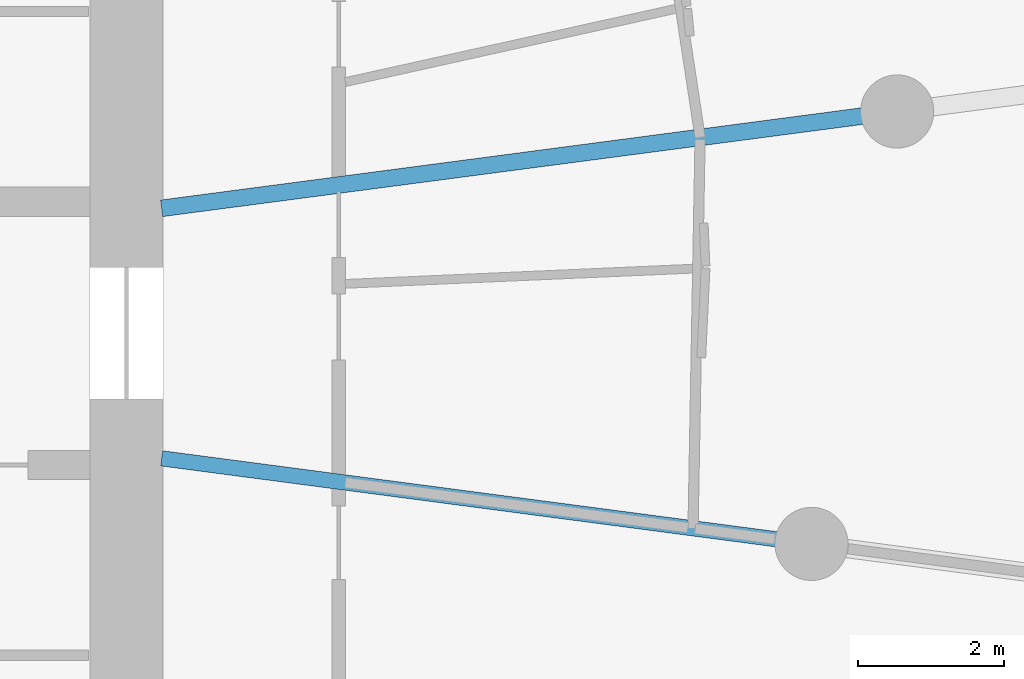
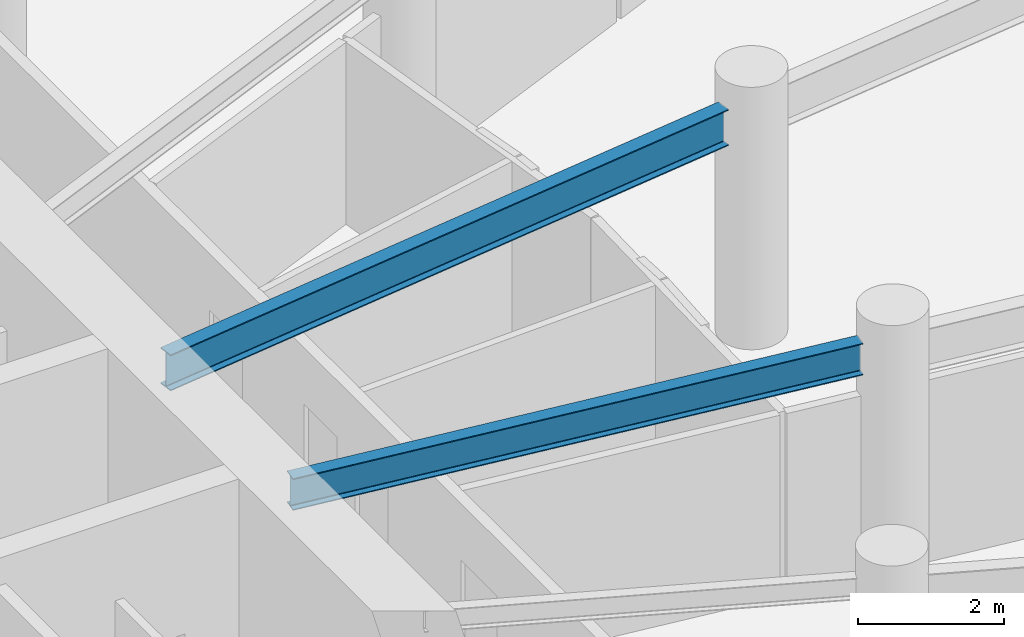
# One storey, part 5 of 19: 2 beams.
"""IFC4 building model written with IfcOpenShell, lengths in metres."""

from ifc_helpers import new_model, si_unit, direction, frame, origin, origin_2d, place, context, subcontext, project, spatial, i_section, extrude, source, transform, mapped, material, material_profile, profile_set, type_object, element, save


model = new_model("IFC4")

# Units and contexts
model_context = context("Model", 3, precision=1e-05, world=origin(), true_north=direction((0.0, 1.0)))
body_context = subcontext(model_context, "Body", "Model", "MODEL_VIEW")
ifc_project = project(units=[si_unit("LENGTHUNIT", "METRE"), si_unit("AREAUNIT", "SQUARE_METRE"), si_unit("VOLUMEUNIT", "CUBIC_METRE"), si_unit("PLANEANGLEUNIT", "RADIAN"), si_unit("MASSUNIT", "GRAM", prefix="KILO")], contexts=[model_context])

# Site, building, storey
site_placement = place(None, origin())
site = spatial("IfcSite", under=ifc_project, at=site_placement, CompositionType="ELEMENT")
building_placement = place(site_placement, origin())
building = spatial("IfcBuilding", under=site, at=building_placement, Name="Spindrift Exchange Tower", CompositionType="ELEMENT")
storey_placement = place(building_placement, frame((0.0, 0.0, 31.39990234375)))
storey = spatial("IfcBuildingStorey", under=building, at=storey_placement, Name="L07", CompositionType="ELEMENT", Elevation=31.39990234375)

# Beams
ifc_material = material(Name="Steel Grade 300", Category="steel")
ifc_material_profile_1 = material_profile(ifc_material, i_section(OverallWidth=0.22802734375, OverallDepth=0.60693359375, WebThickness=0.01123046875, FlangeThickness=0.017333984375, FilletRadius=0.013916015625, at=origin_2d()), Name="610UB113")
ifc_profile_set_1 = profile_set([ifc_material_profile_1], Name="Steel Grade 300")
beam_type_1 = type_object("IfcBeamType", Name="Floor Beam 610UB113 Steel Grade 300", PredefinedType="BEAM", material=ifc_profile_set_1)
shared_shape_1 = source(origin(), body_context, "Body", "SweptSolid", [
    extrude(i_section(OverallWidth=0.22802734375, OverallDepth=0.60693359375, WebThickness=0.01123046875, FlangeThickness=0.017333984375, FilletRadius=0.013916015625, at=origin_2d()), origin(), (0.0, 0.0, 1.0), 9.660400390625),
])
beam_1_placement = place(storey_placement, frame((64.980224609375, 49.708984375, 3.646484375), z_axis=(0.99144767089, 0.130504850054, 0.0), x_axis=(-0.130504850054, 0.99144767089, 0.0)))
element("IfcBeam", 1, at=beam_1_placement, inside=storey, type_object=beam_type_1, Name="L07 radial beam R01A", PredefinedType="BEAM", context=body_context, shape_type="MappedRepresentation", body=[
    mapped(shared_shape_1, transform((0.0, 0.0, 0.0), scale=1.0)),
])
ifc_material_profile_2 = material_profile(ifc_material, i_section(OverallWidth=0.208984375, OverallDepth=0.532958984375, WebThickness=0.01025390625, FlangeThickness=0.015625, FilletRadius=0.013916015625, at=origin_2d()), Name="530UB92.4")
ifc_profile_set_2 = profile_set([ifc_material_profile_2], Name="Steel Grade 300")
beam_type_2 = type_object("IfcBeamType", Name="Floor Beam 530UB92.4 Steel Grade 300", PredefinedType="BEAM", material=ifc_profile_set_2)
shared_shape_2 = source(origin(), body_context, "Body", "SweptSolid", [
    extrude(i_section(OverallWidth=0.208984375, OverallDepth=0.532958984375, WebThickness=0.01025390625, FlangeThickness=0.015625, FilletRadius=0.013916015625, at=origin_2d()), origin(), (0.0, 0.0, 1.0), 8.4794921875),
])
beam_2_placement = place(storey_placement, frame((64.980224609375, 46.291015625, 3.68359375), z_axis=(0.991446551951, -0.13051335037, 0.0), x_axis=(0.13051335037, 0.991446551951, 0.0)))
element("IfcBeam", 2, at=beam_2_placement, inside=storey, type_object=beam_type_2, Name="L07 radial beam R24A", PredefinedType="BEAM", context=body_context, shape_type="MappedRepresentation", body=[
    mapped(shared_shape_2, transform((0.0, 0.0, 0.0), scale=1.0)),
])

save(model, "model.ifc")
